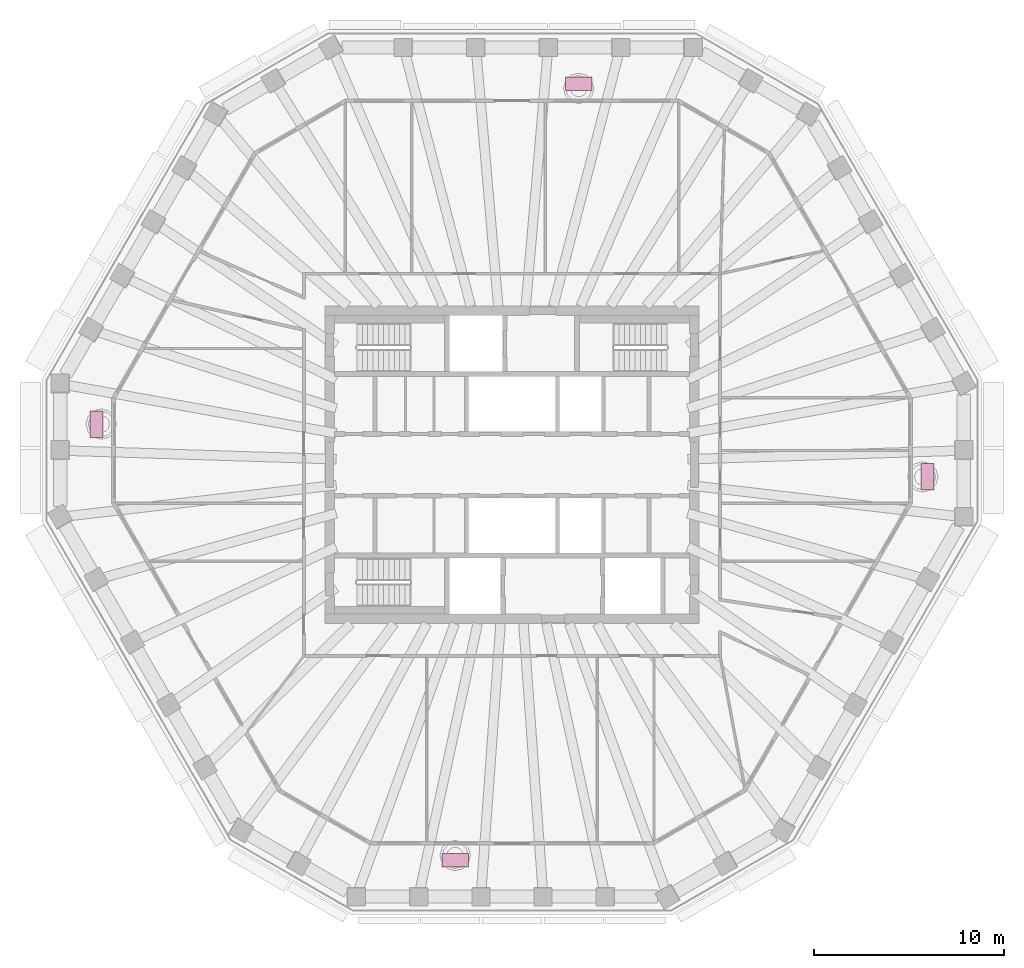
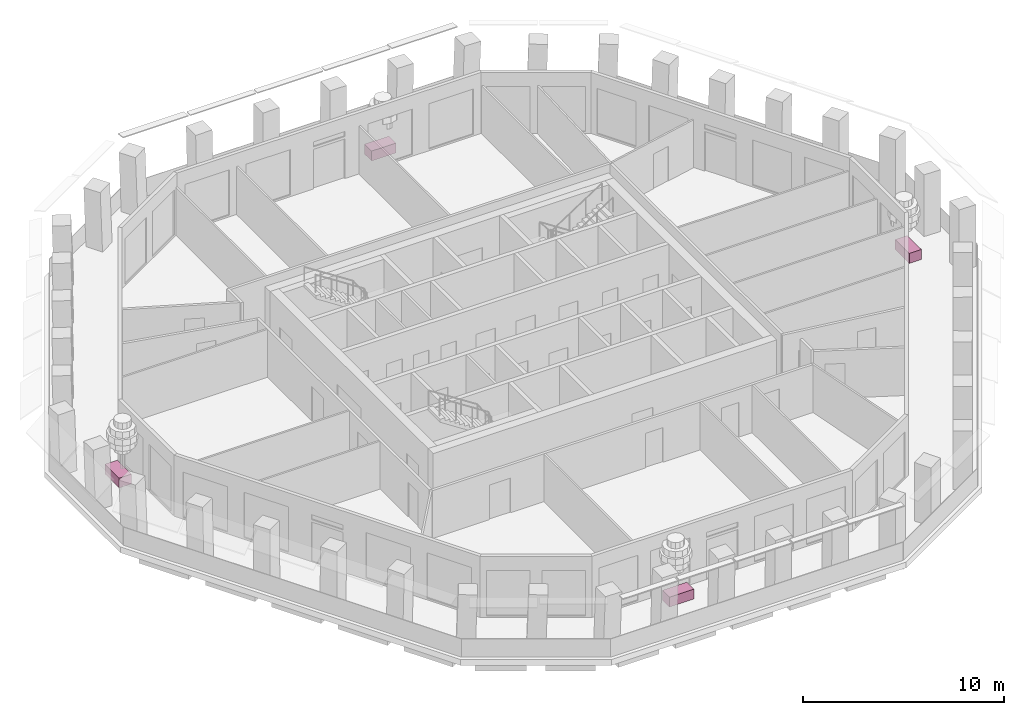
# One storey, part 10 of 11: 4 furniture elements.
"""IFC4 building model written with IfcOpenShell, lengths in metres."""

import ifcopenshell
import ifcopenshell.guid

model = None  # the IFC model being written
_history = None  # IfcOwnerHistory: only IFC2X3 demands one
_inside = {}  # id of a spatial element -> (the spatial element, [elements in it])
_under = {}  # id of a project, library or spatial element -> (it, [spatial elements below it])
_declared = {}  # id of a project -> (the project, [libraries it declares])
_typed = {}  # id of a type object -> (the type object, [elements of that type])
_made_of = {}  # id of a material, layer set ... -> (it, [elements and type objects made of it])


def new_model(schema):
    """Start an empty IFC model of exactly this schema.

    Asked for "IFC4X3", IfcOpenShell would pick the latest addendum, in which some entities
    have other attributes; the version numbers below select the first issue.
    IFC2X3 requires an IfcOwnerHistory on every rooted entity: one is made here for all.
    """
    global model, _history
    if schema == "IFC4X3":
        model = ifcopenshell.file(schema_version=(4, 3, 0, 0))
    else:
        model = ifcopenshell.file(schema=schema)
    _inside.clear()
    _under.clear()
    _declared.clear()
    _typed.clear()
    _made_of.clear()
    _history = None
    if model.schema == "IFC2X3":
        org = make("IfcOrganization", Name="unknown")
        user = make(
            "IfcPersonAndOrganization",
            ThePerson=make("IfcPerson", FamilyName="unknown"),
            TheOrganization=org,
        )
        app = make(
            "IfcApplication",
            ApplicationDeveloper=org,
            Version="unknown",
            ApplicationFullName="unknown",
            ApplicationIdentifier="unknown",
        )
        _history = make(
            "IfcOwnerHistory",
            OwningUser=user,
            OwningApplication=app,
            ChangeAction="ADDED",
            CreationDate=0,
        )
    return model


def make(cls, **values):
    """One entity of the class cls with the attributes given. An attribute that is None is left unset."""
    return model.create_entity(
        cls, **{name: value for name, value in values.items() if value is not None}
    )


def rooted(cls, **values):
    """An entity with a GlobalId (a new one), such as an element, a storey or a relation."""
    return make(cls, GlobalId=ifcopenshell.guid.new(), OwnerHistory=_history, **values)


def si_unit(unit_type, name, prefix=None):
    """IfcSIUnit, for example si_unit("LENGTHUNIT", "METRE", prefix="MILLI")."""
    return make("IfcSIUnit", UnitType=unit_type, Prefix=prefix, Name=name)


def assignment(units):
    """IfcUnitAssignment: the units of a project."""
    return None if units is None else make("IfcUnitAssignment", Units=units)


def point(xyz):
    """IfcCartesianPoint."""
    return None if xyz is None else make("IfcCartesianPoint", Coordinates=xyz)


def direction(xyz):
    """IfcDirection."""
    return None if xyz is None else make("IfcDirection", DirectionRatios=xyz)


def frame(location, z_axis=None, x_axis=None):
    """IfcAxis2Placement3D, a coordinate frame: its origin and axes. An axis left out is left unset."""
    return make(
        "IfcAxis2Placement3D",
        Location=point(location),
        Axis=direction(z_axis),
        RefDirection=direction(x_axis),
    )


def frame_2d(location, x_axis=None):
    """IfcAxis2Placement2D, a coordinate frame in the plane: its origin and x axis."""
    return make(
        "IfcAxis2Placement2D", Location=point(location), RefDirection=direction(x_axis)
    )


def origin():
    """The frame at (0, 0, 0) with its axes left unset."""
    return frame((0.0, 0.0, 0.0))


def origin_2d():
    """The frame at (0, 0) in the plane with its x axis left unset."""
    return frame_2d((0.0, 0.0))


def place(relative_to, where):
    """IfcLocalPlacement: puts the frame where relative to a parent placement (None: the world)."""
    return make(
        "IfcLocalPlacement", PlacementRelTo=relative_to, RelativePlacement=where
    )


def context(
    kind, dimensions, precision=None, world=None, true_north=None, identifier=None
):
    """IfcGeometricRepresentationContext, for example the 3D "Model" context."""
    return make(
        "IfcGeometricRepresentationContext",
        ContextIdentifier=identifier,
        ContextType=kind,
        CoordinateSpaceDimension=dimensions,
        Precision=precision,
        WorldCoordinateSystem=world,
        TrueNorth=true_north,
    )


def subcontext(parent, identifier, kind, view, scale=None):
    """IfcGeometricRepresentationSubContext, for example "Body" below "Model"."""
    return make(
        "IfcGeometricRepresentationSubContext",
        ContextIdentifier=identifier,
        ContextType=kind,
        ParentContext=parent,
        TargetScale=scale,
        TargetView=view,
    )


def project(units=None, contexts=None):
    """IfcProject with its units and contexts."""
    return rooted(
        "IfcProject",
        Name="project",
        RepresentationContexts=contexts,
        UnitsInContext=assignment(units),
    )


def spatial(cls, under=None, at=None, **own):
    """A site, building, storey or space (cls), placed at a placement, below another one or the project."""
    s = rooted(cls, ObjectPlacement=at, **own)
    if under is not None:
        _under.setdefault(under.id(), (under, []))[1].append(s)
    return s


def profile(cls, at=None, kind="AREA", **sizes):
    """A parametric profile (cls). Its sizes go by their IFC names, for example OverallWidth=200.0."""
    return make(cls, ProfileType=kind, Position=at, **sizes)


def rectangle(**sizes):
    """IfcRectangleProfileDef."""
    return profile("IfcRectangleProfileDef", **sizes)


def extrude(swept, where, along, depth):
    """IfcExtrudedAreaSolid: the profile swept, set in the frame where, extruded along a direction by depth."""
    return make(
        "IfcExtrudedAreaSolid",
        SweptArea=swept,
        Position=where,
        ExtrudedDirection=direction(along),
        Depth=depth,
    )


def shape(context_of_items, identifier, shape_type, items):
    """IfcShapeRepresentation: the items that make up one representation, for example the "Body"."""
    return make(
        "IfcShapeRepresentation",
        ContextOfItems=context_of_items,
        RepresentationIdentifier=identifier,
        RepresentationType=shape_type,
        Items=items,
    )


def material(Name=None, Category=None):
    """IfcMaterial."""
    return make("IfcMaterial", Name=Name, Category=Category)


def made_of(thing, what):
    """Note that an element or type object is made of a material, layer set ...; save() writes the relation."""
    if what is not None:
        _made_of.setdefault(what.id(), (what, []))[1].append(thing)
    return thing


def type_object(cls, material=None, **own):
    """A type object (cls), such as IfcWallType, which elements share."""
    return made_of(rooted(cls, **own), material)


def element(
    cls,
    number,
    at=None,
    inside=None,
    cuts=None,
    type_object=None,
    material=None,
    context=None,
    identifier="Body",
    shape_type=None,
    held_by="IfcProductDefinitionShape",
    body=None,
    shapes=None,
    **own,
):
    """One element of the class cls, such as IfcWall. Its Tag is "e" and its number.

    at: its placement. inside: the storey or other place that contains it. cuts: it is an
    opening in that element (IfcRelVoidsElement). A single representation is given by context,
    identifier, shape_type and body (its items); several are given by shapes. held_by: the class
    of the entity that holds the representations. save() writes the other relations.
    """
    e = rooted(cls, Tag="e%d" % number, ObjectPlacement=at, **own)
    if body is not None:
        shapes = [shape(context, identifier, shape_type, body)]
    if shapes is not None:
        e.Representation = make(held_by, Representations=shapes)
    if inside is not None:
        _inside.setdefault(inside.id(), (inside, []))[1].append(e)
    if cuts is not None:
        rooted(
            "IfcRelVoidsElement", RelatingBuildingElement=cuts, RelatedOpeningElement=e
        )
    if type_object is not None:
        _typed.setdefault(type_object.id(), (type_object, []))[1].append(e)
    return made_of(e, material)


def aggregate(whole, parts):
    """IfcRelAggregates: a whole, such as a stair, and the parts it consists of."""
    return rooted("IfcRelAggregates", RelatingObject=whole, RelatedObjects=parts)


def save(model, path):
    """Write the relations noted so far, then the file.

    IfcRelAggregates (storeys below a building ...), IfcRelContainedInSpatialStructure (elements
    in a storey), IfcRelDefinesByType, IfcRelAssociatesMaterial and IfcRelDeclares: one each for
    every whole, place, type object, material and project.
    """
    for whole, parts in _under.values():
        aggregate(whole, parts)
    for where, things in _inside.values():
        rooted(
            "IfcRelContainedInSpatialStructure",
            RelatedElements=things,
            RelatingStructure=where,
        )
    for kind, things in _typed.values():
        rooted("IfcRelDefinesByType", RelatedObjects=things, RelatingType=kind)
    for what, things in _made_of.values():
        rooted("IfcRelAssociatesMaterial", RelatedObjects=things, RelatingMaterial=what)
    for by, libraries in _declared.values():
        rooted("IfcRelDeclares", RelatingContext=by, RelatedDefinitions=libraries)
    model.write(path)


model = new_model("IFC4")

# Units and contexts
model_context = context("Model", 3, precision=1e-05, world=origin(), true_north=direction((0.0, 1.0)))
body_context = subcontext(model_context, "Body", "Model", "MODEL_VIEW")
ifc_project = project(units=[si_unit("LENGTHUNIT", "METRE"), si_unit("AREAUNIT", "SQUARE_METRE"), si_unit("VOLUMEUNIT", "CUBIC_METRE"), si_unit("PLANEANGLEUNIT", "RADIAN"), si_unit("MASSUNIT", "GRAM", prefix="KILO")], contexts=[model_context])

# Site, building, storey
site_placement = place(None, origin())
site = spatial("IfcSite", under=ifc_project, at=site_placement, CompositionType="ELEMENT")
building_placement = place(site_placement, origin())
building = spatial("IfcBuilding", under=site, at=building_placement, Name="Frailejon Research Tower", CompositionType="ELEMENT")
storey_placement = place(building_placement, frame((0.0, 0.0, 287.0)))
storey = spatial("IfcBuildingStorey", under=building, at=storey_placement, Name="L63", CompositionType="ELEMENT", Elevation=287.0)

# Furniture
ifc_material = material(Name="Precast concrete C30/37 planter, terracotta", Category="masonry")
furniture_type = type_object("IfcFurnitureType", Name="Loggia planter 1400x700", AssemblyPlace="NOTDEFINED", PredefinedType="USERDEFINED", material=ifc_material)
for number, where, z_axis, x_axis, name in (
    (1, (21.859375, -0.635009765625, 0.0), (0.0, 0.0, 1.0), (0.0, 1.0, 0.0), "Planter L63"),
    (2, (3.510498046875, 20.050048828125, 0.0), (0.0, 0.0, 1.0), (-1.0, 0.0, 0.0), "Planter L63"),
    (3, (-21.859375, 2.1435546875, 0.0), (0.0, 0.0, 1.0), (0.0, -1.0, 0.0), "Planter L63"),
    (4, (-2.988037109375, -20.80419921875, 0.0), (0.0, 0.0, 1.0), (1.0, 0.0, 0.0), "Planter L63"),
):
    element("IfcFurniture", number, at=place(storey_placement, frame(where, z_axis=z_axis, x_axis=x_axis)), inside=storey, type_object=furniture_type, Name=name, ObjectType="PLANTER", PredefinedType="USERDEFINED", context=body_context, shape_type="SweptSolid", body=[
        extrude(rectangle(XDim=1.39990234375, YDim=0.699951171875, at=origin_2d()), origin(), (0.0, 0.0, 1.0), 0.60009765625),
    ])

save(model, "model.ifc")
